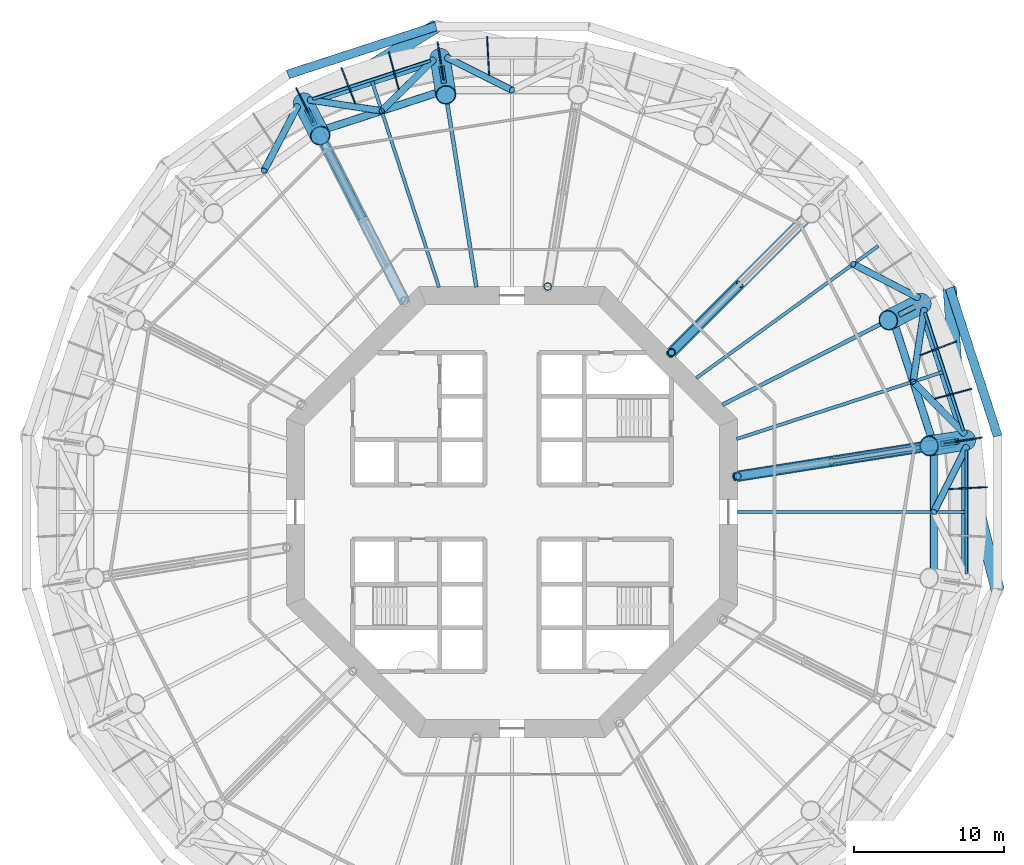
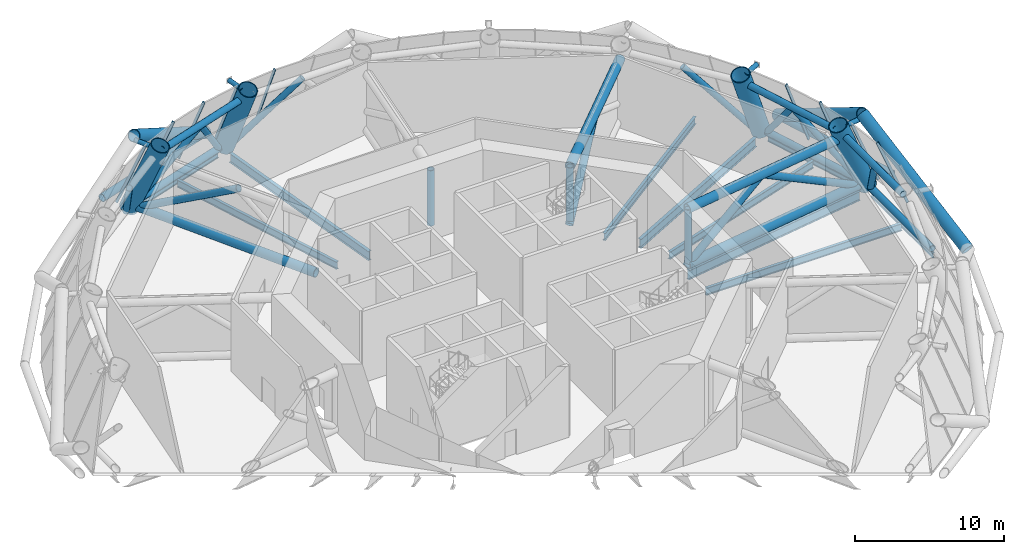
# One storey, part 5 of 18: 47 members, 10 beams, 5 elements without a shape of their own.
"""IFC4 building model written with IfcOpenShell, lengths in metres."""

from ifc_helpers import new_model, si_unit, direction, frame, origin, origin_2d, place, context, subcontext, project, spatial, rectangle, circle, hollow_circle, i_section, extrude, material, layer, layer_set, material_profile, profile_set, type_object, element, aggregate, save


model = new_model("IFC4")

# Units and contexts
model_context = context("Model", 3, precision=1e-05, world=origin(), true_north=direction((0.0, 1.0)))
body_context = subcontext(model_context, "Body", "Model", "MODEL_VIEW")
ifc_project = project(units=[si_unit("LENGTHUNIT", "METRE"), si_unit("AREAUNIT", "SQUARE_METRE"), si_unit("VOLUMEUNIT", "CUBIC_METRE"), si_unit("PLANEANGLEUNIT", "RADIAN"), si_unit("MASSUNIT", "GRAM", prefix="KILO")], contexts=[model_context])

# Site, building, storey
site_placement = place(None, origin())
site = spatial("IfcSite", under=ifc_project, at=site_placement, CompositionType="ELEMENT")
building_placement = place(site_placement, origin())
building = spatial("IfcBuilding", under=site, at=building_placement, Name="Entoto Ring Tower", CompositionType="ELEMENT")
storey_placement = place(building_placement, frame((0.0, 0.0, 138.0)))
storey = spatial("IfcBuildingStorey", under=building, at=storey_placement, Name="L31", CompositionType="ELEMENT", Elevation=138.0)

# Members
ifc_material_1 = material(Name="Steel S355", Category="steel")
ifc_material_profile_1 = material_profile(ifc_material_1, hollow_circle(Radius=0.449951171875, WallThickness=0.044921875, at=origin_2d()), Name="CHS 900 x 45")
ifc_material_2 = material(Name="Concrete C60/75", Category="concrete")
ifc_material_profile_2 = material_profile(ifc_material_2, circle(Radius=0.405029296875, at=origin_2d()), Name="Concrete C60/75 infill")
ifc_profile_set_1 = profile_set([ifc_material_profile_1, ifc_material_profile_2], Name="Steel S355")
member_type_1 = type_object("IfcMemberType", Name="Diagrid diagonal 900 x 45 concrete-filled tube", PredefinedType="BRACE", material=ifc_profile_set_1)
for number, where, z_axis, x_axis, name in (
    (1, (119.135986328125, 94.845458984375, 0.0), (0.058724268288, -0.858720728799, 0.509067942661), (0.997669863704, 0.068226410257, 0.0), "DG2 module 10 01"),
    (2, (84.884521484375, 112.29736328125, 0.0), (-0.729241692547, -0.457223459156, 0.509070979578), (0.531207647366, -0.847241662915, 0.0), "DG2 module 10 06"),
):
    element("IfcMember", number, at=place(storey_placement, frame(where, z_axis=z_axis, x_axis=x_axis)), inside=storey, type_object=member_type_1, Name=name, PredefinedType="BRACE", context=body_context, shape_type="SweptSolid", body=[
        extrude(hollow_circle(Radius=0.449951171875, WallThickness=0.044921875, at=origin_2d()), origin(), (0.0, 0.0, 1.0), 11.7861328125),
    ])
member_1_placement = place(storey_placement, frame((122.29736328125, 74.884521484375, 0.0), z_axis=(-0.209498607785, 0.834845945044, 0.509060488919), x_axis=(-0.969926946461, -0.243396217162, 0.0)))
element("IfcMember", 3, at=member_1_placement, inside=storey, type_object=member_type_1, Name="DG2 module 10 20", PredefinedType="BRACE", context=body_context, shape_type="SweptSolid", body=[
    extrude(hollow_circle(Radius=0.449951171875, WallThickness=0.044921875, at=origin_2d()), origin(), (0.0, 0.0, 1.0), 11.786376953125),
])
ifc_material_3 = material(Name="Steel S355", Category="steel")
ifc_material_profile_3 = material_profile(ifc_material_3, hollow_circle(Radius=0.177734375, WallThickness=0.01611328125, at=origin_2d()), Name="CHS 355.6 x 16")
ifc_material_4 = material(Name="Concrete C60/75", Category="concrete")
ifc_material_profile_4 = material_profile(ifc_material_4, circle(Radius=0.161865234375, at=origin_2d()), Name="Concrete C60/75 infill")
ifc_profile_set_2 = profile_set([ifc_material_profile_3, ifc_material_profile_4], Name="Steel S355")
member_type_2 = type_object("IfcMemberType", Name="Diagrid node strut 355.6 x 16", PredefinedType="STRUT", material=ifc_profile_set_2)
member_2_placement = place(storey_placement, frame((118.535888671875, 84.51953125, 5.672119140625), z_axis=(0.987667778842, 0.156564231664, 0.0), x_axis=(-0.156564231664, 0.987667778842, 0.0)))
element("IfcMember", 4, at=member_2_placement, inside=storey, type_object=member_type_2, Name="DS1 strut ring 10 01", PredefinedType="STRUT", context=body_context, shape_type="SweptSolid", body=[
    extrude(hollow_circle(Radius=0.177734375, WallThickness=0.01611328125, at=origin_2d()), origin(), (0.0, 0.0, 1.0), 1.20849609375),
])
member_3_placement = place(storey_placement, frame((115.74267578125, 93.116455078125, 5.672119140625), z_axis=(0.891007115266, 0.453989339683, 0.0), x_axis=(-0.453989339683, 0.891007115266, 0.0)))
element("IfcMember", 5, at=member_3_placement, inside=storey, type_object=member_type_2, Name="DS1 strut ring 10 02", PredefinedType="STRUT", context=body_context, shape_type="SweptSolid", body=[
    extrude(hollow_circle(Radius=0.177734375, WallThickness=0.01611328125, at=origin_2d()), origin(), (0.0, 0.0, 1.0), 1.208251953125),
])
member_4_placement = place(storey_placement, frame((85.48046875, 108.535888671875, 5.672119140625), z_axis=(-0.156564231664, 0.987667778842, 0.0), x_axis=(-0.987667778842, -0.156564231664, 0.0)))
element("IfcMember", 6, at=member_4_placement, inside=storey, type_object=member_type_2, Name="DS1 strut ring 10 06", PredefinedType="STRUT", context=body_context, shape_type="SweptSolid", body=[
    extrude(hollow_circle(Radius=0.177734375, WallThickness=0.01611328125, at=origin_2d()), origin(), (0.0, 0.0, 1.0), 1.20849609375),
])
member_5_placement = place(storey_placement, frame((76.883544921875, 105.74267578125, 5.672119140625), z_axis=(-0.453989339683, 0.891007115266, 0.0), x_axis=(-0.891007115266, -0.453989339683, 0.0)))
element("IfcMember", 7, at=member_5_placement, inside=storey, type_object=member_type_2, Name="DS1 strut ring 10 07", PredefinedType="STRUT", context=body_context, shape_type="SweptSolid", body=[
    extrude(hollow_circle(Radius=0.177734375, WallThickness=0.01611328125, at=origin_2d()), origin(), (0.0, 0.0, 1.0), 1.208251953125),
])
ifc_material_5 = material(Name="Steel S355", Category="steel")
ifc_material_profile_5 = material_profile(ifc_material_5, hollow_circle(Radius=0.300048828125, WallThickness=0.030029296875, at=origin_2d()), Name="CHS 600 x 30")
ifc_material_6 = material(Name="Concrete C60/75", Category="concrete")
ifc_material_profile_6 = material_profile(ifc_material_6, circle(Radius=0.27001953125, at=origin_2d()), Name="Concrete C60/75 infill")
ifc_profile_set_3 = profile_set([ifc_material_profile_5, ifc_material_profile_6], Name="Steel S355")
member_type_3 = type_object("IfcMemberType", Name="Diagrid ring beam 600 x 30", PredefinedType="CHORD", material=ifc_profile_set_3)
for number, where, z_axis, x_axis, name in (
    (8, (84.94873046875, 112.318359375, 0.0), (-0.951051375491, -0.309032815696, 0.0), (0.309032815696, -0.951051375491, 0.0), "DR1 ring 9 05"),
    (9, (122.318359375, 85.05126953125, 0.0), (-0.309032815696, 0.951051375491, 0.0), (-0.951051375491, -0.309032815696, 0.0), "DR1 ring 9 20"),
):
    element("IfcMember", number, at=place(storey_placement, frame(where, z_axis=z_axis, x_axis=x_axis)), inside=storey, type_object=member_type_3, Name=name, PredefinedType="CHORD", context=body_context, shape_type="SweptSolid", body=[
        extrude(hollow_circle(Radius=0.300048828125, WallThickness=0.030029296875, at=origin_2d()), origin(), (0.0, 0.0, 1.0), 10.36572265625),
    ])

# Beams
ifc_material_7 = material(Name="Steel S355", Category="steel")
ifc_material_profile_7 = material_profile(ifc_material_7, i_section(OverallWidth=0.179931640625, OverallDepth=0.39990234375, WebThickness=0.008544921875, FlangeThickness=0.013427734375, FilletRadius=0.02099609375, at=origin_2d()), Name="IPE 400")
ifc_profile_set_4 = profile_set([ifc_material_profile_7], Name="Steel S355")
beam_type_1 = type_object("IfcBeamType", Name="Edge beam IPE 400", PredefinedType="SPANDREL", material=ifc_profile_set_4)
for number, where, z_axis, x_axis, name in (
    (10, (120.022705078125, 85.404052734375, -0.35009765625), (-0.309014697302, 0.951057262656, 0.0), (-0.951057262656, -0.309014697302, 0.0), "Edge beam L31 01"),
    (11, (84.595947265625, 110.022705078125, -0.35009765625), (-0.951057262656, -0.309014697302, 0.0), (0.309014697302, -0.951057262656, 0.0), "Edge beam L31 06"),
    (12, (120.22314453125, 75.862060546875, -0.35009765625), (0.0, 1.0, 0.0), (-1.0, 0.0, 0.0), "Edge beam L31 20"),
):
    element("IfcBeam", number, at=place(storey_placement, frame(where, z_axis=z_axis, x_axis=x_axis)), inside=storey, type_object=beam_type_1, Name=name, PredefinedType="SPANDREL", context=body_context, shape_type="SweptSolid", body=[
        extrude(i_section(OverallWidth=0.179931640625, OverallDepth=0.39990234375, WebThickness=0.008544921875, FlangeThickness=0.013427734375, FilletRadius=0.02099609375, at=origin_2d()), origin(), (0.0, 0.0, 1.0), 8.27587890625),
    ])

# Curtain wall, members
ifc_material_8 = material(Name="Anodised aluminium", Category="aluminium")
ifc_layer = layer(ifc_material_8, 0.10009765625)
ifc_layer_set = layer_set([ifc_layer], Name="Anodised aluminium")
curtain_wall_type = type_object("IfcCurtainWallType", Name="Louvre curtain wall system CW7", PredefinedType="NOTDEFINED", material=ifc_layer_set)
curtain_wall_1_placement = place(storey_placement, origin())
curtain_wall_1 = element("IfcCurtainWall", 13, at=curtain_wall_1_placement, inside=storey, type_object=curtain_wall_type, Name="CW7 L31-01", PredefinedType="NOTDEFINED")
ifc_material_9 = material(Name="Anodised aluminium", Category="aluminium")
ifc_material_profile_8 = material_profile(ifc_material_9, rectangle(XDim=0.080078125, YDim=0.199951171875, at=origin_2d()), Name="Mullion 80 x 200 mm anodised aluminium")
ifc_profile_set_5 = profile_set([ifc_material_profile_8], Name="Anodised aluminium")
member_type_4 = type_object("IfcMemberType", Name="Mullion 80 x 200 mm anodised aluminium", PredefinedType="MULLION", material=ifc_profile_set_5)
member_6_placement = place(storey_placement, frame((121.203369140625, 84.942138671875, 0.03857421875), z_axis=(-0.379873712431, -0.060156755817, 0.923080238838), x_axis=(0.156410801358, -0.987692088264, 0.0)))
member_6 = element("IfcMember", 14, at=member_6_placement, type_object=member_type_4, Name="MULLION L31-00", PredefinedType="MULLION", context=body_context, shape_type="SweptSolid", body=[
    extrude(rectangle(XDim=0.080078125, YDim=0.199951171875, at=origin_2d()), origin(), (0.0, 0.0, 1.0), 6.25390625),
])
member_7_placement = place(storey_placement, frame((120.515869140625, 88.1767578125, 0.03857421875), z_axis=(-0.371517215719, -0.099544909119, 0.923074086676), x_axis=(0.258812183003, -0.965927664957, 0.0)))
member_7 = element("IfcMember", 15, at=member_7_placement, type_object=member_type_4, Name="MULLION L31-01", PredefinedType="MULLION", context=body_context, shape_type="SweptSolid", body=[
    extrude(rectangle(XDim=0.080078125, YDim=0.199951171875, at=origin_2d()), origin(), (0.0, 0.0, 1.0), 6.254150390625),
])
member_8_placement = place(storey_placement, frame((119.493896484375, 91.32177734375, 0.03857421875), z_axis=(-0.359065607861, -0.137840906866, 0.92307733893), x_axis=(0.358387287841, -0.933573002991, 0.0)))
member_8 = element("IfcMember", 16, at=member_8_placement, type_object=member_type_4, Name="MULLION L31-02", PredefinedType="MULLION", context=body_context, shape_type="SweptSolid", body=[
    extrude(rectangle(XDim=0.080078125, YDim=0.199951171875, at=origin_2d()), origin(), (0.0, 0.0, 1.0), 6.25390625),
])
aggregate(curtain_wall_1, [member_6, member_7, member_8])

# Curtain wall, member
curtain_wall_2_placement = place(storey_placement, origin())
curtain_wall_2 = element("IfcCurtainWall", 17, at=curtain_wall_2_placement, inside=storey, type_object=curtain_wall_type, Name="CW7 L31-05", PredefinedType="NOTDEFINED")
member_9_placement = place(storey_placement, frame((88.3466796875, 111.549072265625, 0.03857421875), z_axis=(0.020104239044, -0.384088559131, 0.923077352293), x_axis=(0.998632928395, 0.052271161513, 0.0)))
member_9 = element("IfcMember", 18, at=member_9_placement, type_object=member_type_4, Name="MULLION L31-14", PredefinedType="MULLION", context=body_context, shape_type="SweptSolid", body=[
    extrude(rectangle(XDim=0.080078125, YDim=0.199951171875, at=origin_2d()), origin(), (0.0, 0.0, 1.0), 6.25390625),
])
aggregate(curtain_wall_2, [member_9])

# Curtain wall, members
curtain_wall_3_placement = place(storey_placement, origin())
curtain_wall_3 = element("IfcCurtainWall", 19, at=curtain_wall_3_placement, inside=storey, type_object=curtain_wall_type, Name="CW7 L31-06", PredefinedType="NOTDEFINED")
member_10_placement = place(storey_placement, frame((85.057861328125, 111.203369140625, 0.03857421875), z_axis=(0.060156755817, -0.379873712431, 0.923080238838), x_axis=(0.987692088264, 0.156410801358, 0.0)))
member_10 = element("IfcMember", 20, at=member_10_placement, type_object=member_type_4, Name="MULLION L31-15", PredefinedType="MULLION", context=body_context, shape_type="SweptSolid", body=[
    extrude(rectangle(XDim=0.080078125, YDim=0.199951171875, at=origin_2d()), origin(), (0.0, 0.0, 1.0), 6.25390625),
])
member_11_placement = place(storey_placement, frame((81.8232421875, 110.515869140625, 0.03857421875), z_axis=(0.099544909119, -0.371517215719, 0.923074086676), x_axis=(0.965927664957, 0.258812183003, 0.0)))
member_11 = element("IfcMember", 21, at=member_11_placement, type_object=member_type_4, Name="MULLION L31-16", PredefinedType="MULLION", context=body_context, shape_type="SweptSolid", body=[
    extrude(rectangle(XDim=0.080078125, YDim=0.199951171875, at=origin_2d()), origin(), (0.0, 0.0, 1.0), 6.254150390625),
])
member_12_placement = place(storey_placement, frame((78.67822265625, 109.493896484375, 0.03857421875), z_axis=(0.137840906866, -0.359065607861, 0.92307733893), x_axis=(0.933573002991, 0.358387287841, 0.0)))
member_12 = element("IfcMember", 22, at=member_12_placement, type_object=member_type_4, Name="MULLION L31-17", PredefinedType="MULLION", context=body_context, shape_type="SweptSolid", body=[
    extrude(rectangle(XDim=0.080078125, YDim=0.199951171875, at=origin_2d()), origin(), (0.0, 0.0, 1.0), 6.25390625),
])
aggregate(curtain_wall_3, [member_10, member_11, member_12])

# Curtain wall, member
curtain_wall_4_placement = place(storey_placement, origin())
curtain_wall_4 = element("IfcCurtainWall", 23, at=curtain_wall_4_placement, inside=storey, type_object=curtain_wall_type, Name="CW7 L31-07", PredefinedType="NOTDEFINED")
member_13_placement = place(storey_placement, frame((75.657470703125, 108.14892578125, 0.03857421875), z_axis=(0.174613111757, -0.342707021712, 0.923072130698), x_axis=(0.891011611713, 0.453980514773, 0.0)))
member_13 = element("IfcMember", 24, at=member_13_placement, type_object=member_type_4, Name="MULLION L31-18", PredefinedType="MULLION", context=body_context, shape_type="SweptSolid", body=[
    extrude(rectangle(XDim=0.080078125, YDim=0.199951171875, at=origin_2d()), origin(), (0.0, 0.0, 1.0), 6.254150390625),
])
aggregate(curtain_wall_4, [member_13])

curtain_wall_5_placement = place(storey_placement, origin())
curtain_wall_5 = element("IfcCurtainWall", 25, at=curtain_wall_5_placement, inside=storey, type_object=curtain_wall_type, Name="CW7 L31-20", PredefinedType="NOTDEFINED")
member_14_placement = place(storey_placement, frame((121.549072265625, 81.6533203125, 0.03857421875), z_axis=(-0.384088559131, -0.020104239044, 0.923077352293), x_axis=(0.052271161513, -0.998632928395, 0.0)))
member_14 = element("IfcMember", 26, at=member_14_placement, type_object=member_type_4, Name="MULLION L31-59", PredefinedType="MULLION", context=body_context, shape_type="SweptSolid", body=[
    extrude(rectangle(XDim=0.080078125, YDim=0.199951171875, at=origin_2d()), origin(), (0.0, 0.0, 1.0), 6.25390625),
])
aggregate(curtain_wall_5, [member_14])

# Members
ifc_material_10 = material(Name="Steel S355", Category="steel")
ifc_material_profile_9 = material_profile(ifc_material_10, hollow_circle(Radius=0.35546875, WallThickness=0.0400390625, at=origin_2d()), Name="CHS 711 x 40")
ifc_material_11 = material(Name="Concrete C60/75", Category="concrete")
ifc_material_profile_10 = material_profile(ifc_material_11, circle(Radius=0.3154296875, at=origin_2d()), Name="Concrete C60/75 infill")
ifc_profile_set_6 = profile_set([ifc_material_profile_9, ifc_material_profile_10], Name="Steel S355")
member_type_5 = type_object("IfcMemberType", Name="Outrigger chord 711 x 40", PredefinedType="CHORD", material=ifc_profile_set_6)
member_15_placement = place(storey_placement, frame((104.924560546875, 82.36376953125, 0.35546875), z_axis=(0.987686969269, 0.156443123004, 0.0), x_axis=(-0.156443123004, 0.987686969269, 0.0)))
element("IfcMember", 27, at=member_15_placement, inside=storey, type_object=member_type_5, Name="OR1 L31 bottom 01", PredefinedType="CHORD", context=body_context, shape_type="SweptSolid", body=[
    extrude(hollow_circle(Radius=0.35546875, WallThickness=0.0400390625, at=origin_2d()), origin(), (0.0, 0.0, 1.0), 14.739501953125),
])
member_16_placement = place(storey_placement, frame((104.924560546875, 82.36376953125, 4.89453125), z_axis=(0.987687356525, 0.156440678087, 0.0), x_axis=(-0.156440678087, 0.987687356525, 0.0)))
element("IfcMember", 28, at=member_16_placement, inside=storey, type_object=member_type_5, Name="OR1 L31 top 01", PredefinedType="CHORD", context=body_context, shape_type="SweptSolid", body=[
    extrude(hollow_circle(Radius=0.35546875, WallThickness=0.0400390625, at=origin_2d()), origin(), (0.0, 0.0, 1.0), 12.848388671875),
])
member_17_placement = place(storey_placement, frame((100.592529296875, 90.592529296875, 4.89453125), z_axis=(0.707106781187, 0.707106781187, 0.0), x_axis=(-0.707106781187, 0.707106781187, 0.0)))
element("IfcMember", 29, at=member_17_placement, inside=storey, type_object=member_type_5, Name="OR1 L31 top 02", PredefinedType="CHORD", context=body_context, shape_type="SweptSolid", body=[
    extrude(hollow_circle(Radius=0.35546875, WallThickness=0.0400390625, at=origin_2d()), origin(), (0.0, 0.0, 1.0), 12.97900390625),
])
member_18_placement = place(storey_placement, frame((82.901123046875, 93.93212890625, 0.35546875), z_axis=(-0.453988820208, 0.89100737995, 0.0), x_axis=(-0.89100737995, -0.453988820208, 0.0)))
element("IfcMember", 30, at=member_18_placement, inside=storey, type_object=member_type_5, Name="OR1 L31 bottom 04", PredefinedType="CHORD", context=body_context, shape_type="SweptSolid", body=[
    extrude(hollow_circle(Radius=0.35546875, WallThickness=0.0400390625, at=origin_2d()), origin(), (0.0, 0.0, 1.0), 14.213623046875),
])
ifc_material_12 = material(Name="Steel S355", Category="steel")
ifc_material_profile_11 = material_profile(ifc_material_12, hollow_circle(Radius=0.279541015625, WallThickness=0.031982421875, at=origin_2d()), Name="CHS 559 x 32")
ifc_material_13 = material(Name="Concrete C60/75", Category="concrete")
ifc_material_profile_12 = material_profile(ifc_material_13, circle(Radius=0.24755859375, at=origin_2d()), Name="Concrete C60/75 infill")
ifc_profile_set_7 = profile_set([ifc_material_profile_11, ifc_material_profile_12], Name="Steel S355")
member_type_6 = type_object("IfcMemberType", Name="Outrigger diagonal 559 x 32", PredefinedType="BRACE", material=ifc_profile_set_7)
member_19_placement = place(storey_placement, frame((104.817626953125, 82.346923828125, 0.223388671875), z_axis=(0.803483969529, 0.127267435137, 0.581563849172), x_axis=(-0.156444149931, 0.98768680661, 0.0)))
element("IfcMember", 31, at=member_19_placement, inside=storey, type_object=member_type_6, Name="OR2 L31 01 1", PredefinedType="BRACE", context=body_context, shape_type="SweptSolid", body=[
    extrude(hollow_circle(Radius=0.279541015625, WallThickness=0.031982421875, at=origin_2d()), origin(), (0.0, 0.0, 1.0), 8.031982421875),
])
member_20_placement = place(storey_placement, frame((111.271240234375, 83.369140625, 4.89453125), z_axis=(0.865125410982, 0.137005124238, -0.48248069309), x_axis=(-0.156415219895, 0.987691388535, 0.0)))
element("IfcMember", 32, at=member_20_placement, inside=storey, type_object=member_type_6, Name="OR2 L31 01 2", PredefinedType="BRACE", context=body_context, shape_type="SweptSolid", body=[
    extrude(hollow_circle(Radius=0.279541015625, WallThickness=0.031982421875, at=origin_2d()), origin(), (0.0, 0.0, 1.0), 9.517578125),
])
member_21_placement = place(storey_placement, frame((100.481201171875, 90.481201171875, 0.23046875), z_axis=(0.578052859484, 0.578052859484, 0.575942517345), x_axis=(-0.707106781187, 0.707106781187, 0.0)))
element("IfcMember", 33, at=member_21_placement, inside=storey, type_object=member_type_6, Name="OR2 L31 02 1", PredefinedType="BRACE", context=body_context, shape_type="SweptSolid", body=[
    extrude(hollow_circle(Radius=0.279541015625, WallThickness=0.031982421875, at=origin_2d()), origin(), (0.0, 0.0, 1.0), 8.09814453125),
])
member_22_placement = place(storey_placement, frame((80.08984375, 99.449462890625, 4.89453125), z_axis=(-0.394219192289, 0.77373913237, -0.495902191436), x_axis=(-0.891016113801, -0.453971678573, 0.0)))
element("IfcMember", 34, at=member_22_placement, inside=storey, type_object=member_type_6, Name="OR2 L31 04 2", PredefinedType="BRACE", context=body_context, shape_type="SweptSolid", body=[
    extrude(hollow_circle(Radius=0.279541015625, WallThickness=0.031982421875, at=origin_2d()), origin(), (0.0, 0.0, 1.0), 9.267822265625),
])
ifc_material_14 = material(Name="Steel S355", Category="steel")
ifc_material_profile_13 = material_profile(ifc_material_14, hollow_circle(Radius=0.25390625, WallThickness=0.030029296875, at=origin_2d()), Name="CHS 508 x 30")
ifc_material_15 = material(Name="Concrete C60/75", Category="concrete")
ifc_material_profile_14 = material_profile(ifc_material_15, circle(Radius=0.22412109375, at=origin_2d()), Name="Concrete C60/75 infill")
ifc_profile_set_8 = profile_set([ifc_material_profile_13, ifc_material_profile_14], Name="Steel S355")
member_type_7 = type_object("IfcMemberType", Name="Outrigger post 508 x 30", PredefinedType="POST", material=ifc_profile_set_8)
for number, where, z_axis, x_axis, name in (
    (35, (105.0, 82.375732421875, 0.35546875), (0.0, 0.0, 1.0), (1.0, 0.0, 0.0), "OR3 L31 01"),
    (36, (100.606689453125, 90.606689453125, 0.35546875), (0.0, 0.0, 1.0), (1.0, 0.0, 0.0), "OR3 L31 02"),
    (37, (92.375732421875, 95.0, 0.35546875), (0.0, 0.0, 1.0), (1.0, 0.0, 0.0), "OR3 L31 03"),
):
    element("IfcMember", number, at=place(storey_placement, frame(where, z_axis=z_axis, x_axis=x_axis)), inside=storey, type_object=member_type_7, Name=name, PredefinedType="POST", context=body_context, shape_type="SweptSolid", body=[
        extrude(hollow_circle(Radius=0.25390625, WallThickness=0.030029296875, at=origin_2d()), origin(), (0.0, 0.0, 1.0), 4.5390625),
    ])

# Beams
ifc_material_16 = material(Name="Steel S355", Category="steel")
ifc_material_profile_15 = material_profile(ifc_material_16, i_section(OverallWidth=0.262939453125, OverallDepth=0.7529296875, WebThickness=0.011474609375, FlangeThickness=0.01708984375, FilletRadius=0.01708984375, at=origin_2d()), Name="IPE 750 x 137")
ifc_profile_set_9 = profile_set([ifc_material_profile_15], Name="Steel S355")
beam_type_2 = type_object("IfcBeamType", Name="Primary floor beam IPE 750 x 137", PredefinedType="BEAM", material=ifc_profile_set_9)
beam_1_placement = place(storey_placement, frame((104.959716796875, 82.369384765625, -0.526611328125), z_axis=(0.987687608224, 0.156439088977, 0.0), x_axis=(-0.156439088977, 0.987687608224, 0.0)))
element("IfcBeam", 38, at=beam_1_placement, inside=storey, type_object=beam_type_2, Name="Primary L31 R01", PredefinedType="BEAM", context=body_context, shape_type="SweptSolid", body=[
    extrude(i_section(OverallWidth=0.262939453125, OverallDepth=0.7529296875, WebThickness=0.011474609375, FlangeThickness=0.01708984375, FilletRadius=0.01708984375, at=origin_2d()), origin(), (0.0, 0.0, 1.0), 14.811767578125),
])
beam_2_placement = place(storey_placement, frame((103.9970703125, 87.1318359375, -0.526611328125), z_axis=(0.891005366009, 0.453992772788, 0.0), x_axis=(-0.453992772788, 0.891005366009, 0.0)))
element("IfcBeam", 39, at=beam_2_placement, inside=storey, type_object=beam_type_2, Name="Primary L31 R02", PredefinedType="BEAM", context=body_context, shape_type="SweptSolid", body=[
    extrude(i_section(OverallWidth=0.262939453125, OverallDepth=0.7529296875, WebThickness=0.011474609375, FlangeThickness=0.01708984375, FilletRadius=0.01708984375, at=origin_2d()), origin(), (0.0, 0.0, 1.0), 14.24853515625),
])
beam_3_placement = place(storey_placement, frame((87.630615234375, 94.959716796875, -0.526611328125), z_axis=(-0.156439088977, 0.987687608224, 0.0), x_axis=(-0.987687608224, -0.156439088977, 0.0)))
element("IfcBeam", 40, at=beam_3_placement, inside=storey, type_object=beam_type_2, Name="Primary L31 R06", PredefinedType="BEAM", context=body_context, shape_type="SweptSolid", body=[
    extrude(i_section(OverallWidth=0.262939453125, OverallDepth=0.7529296875, WebThickness=0.011474609375, FlangeThickness=0.01708984375, FilletRadius=0.01708984375, at=origin_2d()), origin(), (0.0, 0.0, 1.0), 14.811767578125),
])

# Members
ifc_material_17 = material(Name="Steel S355", Category="steel")
ifc_material_profile_16 = material_profile(ifc_material_17, hollow_circle(Radius=0.675048828125, WallThickness=0.06005859375, at=origin_2d()), Name="CHS 1350 x 60")
ifc_material_18 = material(Name="Concrete C60/75", Category="concrete")
ifc_material_profile_17 = material_profile(ifc_material_18, circle(Radius=0.614990234375, at=origin_2d()), Name="Concrete C60/75 infill")
ifc_profile_set_10 = profile_set([ifc_material_profile_16, ifc_material_profile_17], Name="Steel S355")
member_type_8 = type_object("IfcMemberType", Name="Ring column jog 1350 x 60 concrete-filled tube", PredefinedType="STRUT", material=ifc_profile_set_10)
for number, where, z_axis, x_axis, name in (
    (41, (120.22314453125, 84.786865234375, 0.0), (-0.379850189746, -0.060172056163, 0.923088921506), (0.156459060658, -0.987684444718, 0.0), "RJ2B R01"),
    (42, (117.264892578125, 93.89208984375, 0.0), (-0.342697597672, -0.174616520339, 0.923074984698), (0.453997461601, -0.891002976909, 0.0), "RJ2B R02"),
    (43, (85.213134765625, 110.22314453125, 0.0), (0.060172056163, -0.379850189746, 0.923088921506), (0.987684444718, 0.156459060658, 0.0), "RJ2B R06"),
    (44, (76.10791015625, 107.264892578125, 0.0), (0.174616520339, -0.342697597672, 0.923074984698), (0.891002976909, 0.453997461601, 0.0), "RJ2B R07"),
):
    element("IfcMember", number, at=place(storey_placement, frame(where, z_axis=z_axis, x_axis=x_axis)), inside=storey, type_object=member_type_8, Name=name, PredefinedType="STRUT", context=body_context, shape_type="SweptSolid", body=[
        extrude(hollow_circle(Radius=0.675048828125, WallThickness=0.06005859375, at=origin_2d()), origin(), (0.0, 0.0, 1.0), 6.5),
    ])
ifc_material_19 = material(Name="Steel S355", Category="steel")
ifc_material_profile_18 = material_profile(ifc_material_19, hollow_circle(Radius=0.25390625, WallThickness=0.030029296875, at=origin_2d()), Name="CHS 508 x 30")
ifc_material_20 = material(Name="Concrete C60/75", Category="concrete")
ifc_material_profile_19 = material_profile(ifc_material_20, circle(Radius=0.22412109375, at=origin_2d()), Name="Concrete C60/75 infill")
ifc_profile_set_11 = profile_set([ifc_material_profile_18, ifc_material_profile_19], Name="Steel S355")
member_type_9 = type_object("IfcMemberType", Name="Ring truss chord 508 x 30", PredefinedType="CHORD", material=ifc_profile_set_11)
member_23_placement = place(storey_placement, frame((119.930908203125, 85.3486328125, 0.25390625), z_axis=(-0.309021747199, 0.951054971996, 0.0), x_axis=(-0.951054971996, -0.309021747199, 0.0)))
element("IfcMember", 45, at=member_23_placement, inside=storey, type_object=member_type_9, Name="BT1 L31 bottom 01", PredefinedType="CHORD", context=body_context, shape_type="SweptSolid", body=[
    extrude(hollow_circle(Radius=0.25390625, WallThickness=0.030029296875, at=origin_2d()), origin(), (0.0, 0.0, 1.0), 8.32470703125),
])
member_24_placement = place(storey_placement, frame((117.880615234375, 85.02392578125, 5.236083984375), z_axis=(-0.309023496777, 0.951054403512, 0.0), x_axis=(-0.951054403512, -0.309023496777, 0.0)))
element("IfcMember", 46, at=member_24_placement, inside=storey, type_object=member_type_9, Name="BT1 L31 top 01", PredefinedType="CHORD", context=body_context, shape_type="SweptSolid", body=[
    extrude(hollow_circle(Radius=0.25390625, WallThickness=0.030029296875, at=origin_2d()), origin(), (0.0, 0.0, 1.0), 7.67529296875),
])
member_25_placement = place(storey_placement, frame((84.6513671875, 109.930908203125, 0.25390625), z_axis=(-0.951054971996, -0.309021747199, 0.0), x_axis=(0.309021747199, -0.951054971996, 0.0)))
element("IfcMember", 47, at=member_25_placement, inside=storey, type_object=member_type_9, Name="BT1 L31 bottom 06", PredefinedType="CHORD", context=body_context, shape_type="SweptSolid", body=[
    extrude(hollow_circle(Radius=0.25390625, WallThickness=0.030029296875, at=origin_2d()), origin(), (0.0, 0.0, 1.0), 8.32470703125),
])
member_26_placement = place(storey_placement, frame((84.97607421875, 107.880615234375, 5.236083984375), z_axis=(-0.951054403512, -0.309023496777, 0.0), x_axis=(0.309023496777, -0.951054403512, 0.0)))
element("IfcMember", 48, at=member_26_placement, inside=storey, type_object=member_type_9, Name="BT1 L31 top 06", PredefinedType="CHORD", context=body_context, shape_type="SweptSolid", body=[
    extrude(hollow_circle(Radius=0.25390625, WallThickness=0.030029296875, at=origin_2d()), origin(), (0.0, 0.0, 1.0), 7.67529296875),
])
member_27_placement = place(storey_placement, frame((120.11865234375, 75.837646484375, 0.25390625), z_axis=(0.0, 1.0, 0.0), x_axis=(-1.0, 0.0, 0.0)))
element("IfcMember", 49, at=member_27_placement, inside=storey, type_object=member_type_9, Name="BT1 L31 bottom 20", PredefinedType="CHORD", context=body_context, shape_type="SweptSolid", body=[
    extrude(hollow_circle(Radius=0.25390625, WallThickness=0.030029296875, at=origin_2d()), origin(), (0.0, 0.0, 1.0), 8.32470703125),
])
member_28_placement = place(storey_placement, frame((118.068359375, 76.162353515625, 5.236083984375), z_axis=(0.0, 1.0, 0.0), x_axis=(-1.0, 0.0, 0.0)))
element("IfcMember", 50, at=member_28_placement, inside=storey, type_object=member_type_9, Name="BT1 L31 top 20", PredefinedType="CHORD", context=body_context, shape_type="SweptSolid", body=[
    extrude(hollow_circle(Radius=0.25390625, WallThickness=0.030029296875, at=origin_2d()), origin(), (0.0, 0.0, 1.0), 7.67529296875),
])
ifc_material_21 = material(Name="Steel S355", Category="steel")
ifc_material_profile_20 = material_profile(ifc_material_21, hollow_circle(Radius=0.228515625, WallThickness=0.02001953125, at=origin_2d()), Name="CHS 457 x 20")
ifc_material_22 = material(Name="Concrete C60/75", Category="concrete")
ifc_material_profile_21 = material_profile(ifc_material_22, circle(Radius=0.20849609375, at=origin_2d()), Name="Concrete C60/75 infill")
ifc_profile_set_12 = profile_set([ifc_material_profile_20, ifc_material_profile_21], Name="Steel S355")
member_type_10 = type_object("IfcMemberType", Name="Ring truss diagonal 457 x 20", PredefinedType="BRACE", material=ifc_profile_set_12)
for number, where, z_axis, x_axis, name in (
    (51, (120.08203125, 85.238037109375, -0.01220703125), (-0.475166268021, 0.481912772872, 0.736190937921), (-0.712073526329, -0.702104901778, 0.0), "BT2 L31 01 a"),
    (52, (116.694580078125, 88.673583984375, 5.236083984375), (0.101129376835, 0.669173052268, -0.736193096449), (-0.988772439917, 0.149429120526, 0.0), "BT2 L31 01 b"),
    (53, (116.990966796875, 94.277587890625, -0.01220703125), (-0.600818337811, 0.311504993202, 0.736194243498), (-0.460281714879, -0.887772911812, 0.0), "BT2 L31 02 a"),
    (54, (90.0, 108.068359375, 5.236083984375), (-0.605166030745, 0.302976847604, -0.736192301677), (-0.447679076632, -0.89419429899, 0.0), "BT2 L31 05 b"),
    (55, (84.761962890625, 110.08203125, -0.01220703125), (-0.481912772872, -0.475166268021, 0.736190937921), (0.702104901778, -0.712073526329, 0.0), "BT2 L31 06 a"),
    (56, (81.326416015625, 106.694580078125, 5.236083984375), (-0.669173052268, 0.101129376835, -0.736193096449), (-0.149429120526, -0.988772439917, 0.0), "BT2 L31 06 b"),
    (57, (75.722412109375, 106.990966796875, -0.01220703125), (-0.311504993202, -0.600818337811, 0.736194243498), (0.887772911812, -0.460281714879, 0.0), "BT2 L31 07 a"),
    (58, (118.068359375, 80.0, 5.236083984375), (0.302976847604, 0.605166030745, -0.736192301677), (-0.89419429899, 0.447679076632, 0.0), "BT2 L31 20 b"),
):
    element("IfcMember", number, at=place(storey_placement, frame(where, z_axis=z_axis, x_axis=x_axis)), inside=storey, type_object=member_type_10, Name=name, PredefinedType="BRACE", context=body_context, shape_type="SweptSolid", body=[
        extrude(hollow_circle(Radius=0.228515625, WallThickness=0.02001953125, at=origin_2d()), origin(), (0.0, 0.0, 1.0), 7.12890625),
    ])

# Beams
ifc_material_23 = material(Name="Steel S355", Category="steel")
ifc_material_profile_22 = material_profile(ifc_material_23, i_section(OverallWidth=0.219970703125, OverallDepth=0.60009765625, WebThickness=0.011962890625, FlangeThickness=0.01904296875, FilletRadius=0.02392578125, at=origin_2d()), Name="IPE 600")
ifc_profile_set_13 = profile_set([ifc_material_profile_22], Name="Steel S355")
beam_type_3 = type_object("IfcBeamType", Name="Secondary floor beam IPE 600", PredefinedType="JOIST", material=ifc_profile_set_13)
beam_4_placement = place(storey_placement, frame((104.947021484375, 84.856689453125, -0.449951171875), z_axis=(0.951057212949, 0.309014850288, 0.0), x_axis=(-0.309014850288, 0.951057212949, 0.0)))
element("IfcBeam", 59, at=beam_4_placement, inside=storey, type_object=beam_type_3, Name="Secondary beam L31 01", PredefinedType="JOIST", context=body_context, shape_type="SweptSolid", body=[
    extrude(i_section(OverallWidth=0.219970703125, OverallDepth=0.60009765625, WebThickness=0.011962890625, FlangeThickness=0.01904296875, FilletRadius=0.02392578125, at=origin_2d()), origin(), (0.0, 0.0, 1.0), 14.4169921875),
])
beam_5_placement = place(storey_placement, frame((102.25634765625, 88.90478515625, -0.449951171875), z_axis=(0.809019238239, 0.587782163866, 0.0), x_axis=(-0.587782163866, 0.809019238239, 0.0)))
element("IfcBeam", 60, at=beam_5_placement, inside=storey, type_object=beam_type_3, Name="Secondary beam L31 02", PredefinedType="JOIST", context=body_context, shape_type="SweptSolid", body=[
    extrude(i_section(OverallWidth=0.219970703125, OverallDepth=0.60009765625, WebThickness=0.011962890625, FlangeThickness=0.01904296875, FilletRadius=0.02392578125, at=origin_2d()), origin(), (0.0, 0.0, 1.0), 14.983642578125),
])
beam_6_placement = place(storey_placement, frame((85.143310546875, 94.947021484375, -0.449951171875), z_axis=(-0.309014850288, 0.951057212949, 0.0), x_axis=(-0.951057212949, -0.309014850288, 0.0)))
element("IfcBeam", 61, at=beam_6_placement, inside=storey, type_object=beam_type_3, Name="Secondary beam L31 06", PredefinedType="JOIST", context=body_context, shape_type="SweptSolid", body=[
    extrude(i_section(OverallWidth=0.219970703125, OverallDepth=0.60009765625, WebThickness=0.011962890625, FlangeThickness=0.01904296875, FilletRadius=0.02392578125, at=origin_2d()), origin(), (0.0, 0.0, 1.0), 14.4169921875),
])
beam_7_placement = place(storey_placement, frame((104.97998046875, 80.0, -0.449951171875), z_axis=(1.0, 0.0, 0.0), x_axis=(0.0, 1.0, 0.0)))
element("IfcBeam", 62, at=beam_7_placement, inside=storey, type_object=beam_type_3, Name="Secondary beam L31 20", PredefinedType="JOIST", context=body_context, shape_type="SweptSolid", body=[
    extrude(i_section(OverallWidth=0.219970703125, OverallDepth=0.60009765625, WebThickness=0.011962890625, FlangeThickness=0.01904296875, FilletRadius=0.02392578125, at=origin_2d()), origin(), (0.0, 0.0, 1.0), 15.1533203125),
])

save(model, "model.ifc")
